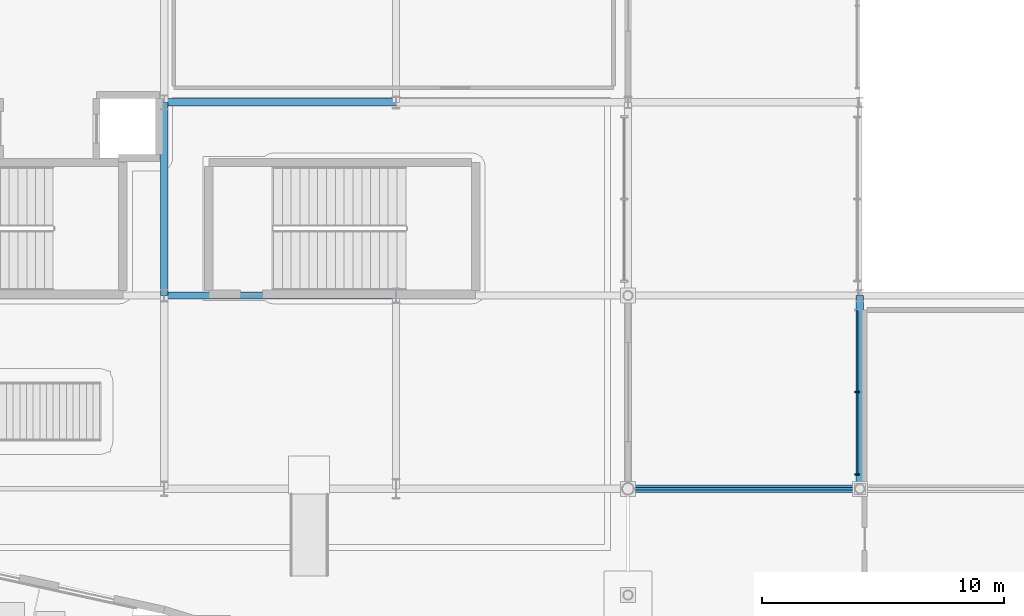
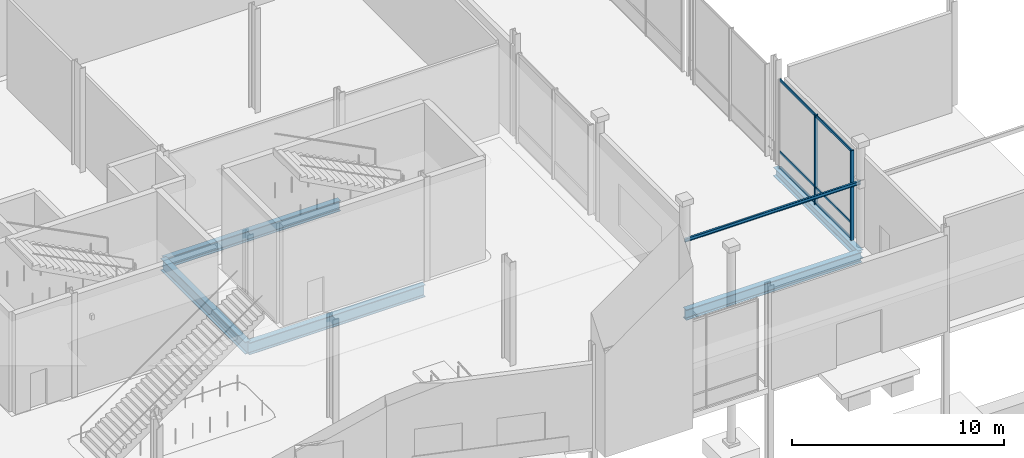
# One storey, part 41 of 124: 6 beams, 5 members, 1 element without a shape of its own.
"""IFC4 building model written with IfcOpenShell, lengths in metres."""

from ifc_helpers import new_model, si_unit, direction, frame, origin, origin_2d, place, context, subcontext, project, spatial, rectangle, i_section, extrude, material, material_profile, profile_set, type_object, element, aggregate, save


model = new_model("IFC4")

# Units and contexts
model_context = context("Model", 3, precision=1e-05, world=origin(), true_north=direction((0.0, 1.0)))
body_context = subcontext(model_context, "Body", "Model", "MODEL_VIEW")
ifc_project = project(units=[si_unit("LENGTHUNIT", "METRE"), si_unit("AREAUNIT", "SQUARE_METRE"), si_unit("VOLUMEUNIT", "CUBIC_METRE"), si_unit("PLANEANGLEUNIT", "RADIAN"), si_unit("MASSUNIT", "GRAM", prefix="KILO")], contexts=[model_context])

# Site, building, storey
site_placement = place(None, origin())
site = spatial("IfcSite", under=ifc_project, at=site_placement, CompositionType="ELEMENT")
building_placement = place(site_placement, origin())
building = spatial("IfcBuilding", under=site, at=building_placement, Name="Danafjord Basin Convention Centre", CompositionType="ELEMENT")
storey_placement = place(building_placement, origin())
storey = spatial("IfcBuildingStorey", under=building, at=storey_placement, Name="L00", CompositionType="ELEMENT", Elevation=0.0)

# Beams
ifc_material_1 = material(Name="Steel S355", Category="steel")
ifc_material_profile_1 = material_profile(ifc_material_1, i_section(OverallWidth=0.300048828125, OverallDepth=0.5, WebThickness=0.014404296875, FlangeThickness=0.028076171875, FilletRadius=0.027099609375, at=origin_2d()), Name="HEB 500")
ifc_profile_set_1 = profile_set([ifc_material_profile_1], Name="Steel S355")
beam_type_1 = type_object("IfcBeamType", Name="BEAM-BM-HEB500", PredefinedType="BEAM", material=ifc_profile_set_1)
beam_1_placement = place(storey_placement, frame((124.800048828125, 8.0, -0.5400390625), z_axis=(0.0, 1.0, 0.0), x_axis=(-1.0, 0.0, 0.0)))
element("IfcBeam", 1, at=beam_1_placement, inside=storey, type_object=beam_type_1, Name="L00 transverse girder BM-HEB500", PredefinedType="BEAM", context=body_context, shape_type="SweptSolid", body=[
    extrude(i_section(OverallWidth=0.300048828125, OverallDepth=0.5, WebThickness=0.014404296875, FlangeThickness=0.028076171875, FilletRadius=0.027099609375, at=origin_2d()), origin(), (0.0, 0.0, 1.0), 8.0),
])
ifc_material_profile_2 = material_profile(ifc_material_1, i_section(OverallWidth=0.300048828125, OverallDepth=0.60009765625, WebThickness=0.015380859375, FlangeThickness=0.030029296875, FilletRadius=0.027099609375, at=origin_2d()), Name="HEB 600")
ifc_profile_set_2 = profile_set([ifc_material_profile_2], Name="Steel S355")
beam_type_2 = type_object("IfcBeamType", Name="BEAM-BM-HEB600", PredefinedType="BEAM", material=ifc_profile_set_2)
for number, where, z_axis, x_axis, name in (
    (2, (96.0, 24.0, -0.610107421875), (1.0, 0.0, 0.0), (0.0, 1.0, 0.0), "L00 girder BM-HEB600"),
    (3, (115.199951171875, 8.0, -0.590087890625), (1.0, 0.0, 0.0), (0.0, 1.0, 0.0), "L00 girder BM-HEB600"),
):
    element("IfcBeam", number, at=place(storey_placement, frame(where, z_axis=z_axis, x_axis=x_axis)), inside=storey, type_object=beam_type_2, Name=name, PredefinedType="BEAM", context=body_context, shape_type="SweptSolid", body=[
        extrude(i_section(OverallWidth=0.300048828125, OverallDepth=0.60009765625, WebThickness=0.015380859375, FlangeThickness=0.030029296875, FilletRadius=0.027099609375, at=origin_2d()), origin(), (0.0, 0.0, 1.0), 9.60009765625),
    ])
ifc_material_profile_3 = material_profile(ifc_material_1, i_section(OverallWidth=0.300048828125, OverallDepth=0.699951171875, WebThickness=0.01708984375, FlangeThickness=0.031982421875, FilletRadius=0.027099609375, at=origin_2d()), Name="HEB 700")
ifc_profile_set_3 = profile_set([ifc_material_profile_3], Name="Steel S355")
beam_type_3 = type_object("IfcBeamType", Name="BEAM-BM-HEB700", PredefinedType="BEAM", material=ifc_profile_set_3)
beam_2_placement = place(storey_placement, frame((96.0, 16.0, -0.659912109375), z_axis=(1.0, 0.0, 0.0), x_axis=(0.0, 1.0, 0.0)))
element("IfcBeam", 4, at=beam_2_placement, inside=storey, type_object=beam_type_3, Name="L00 girder BM-HEB700", PredefinedType="BEAM", context=body_context, shape_type="SweptSolid", body=[
    extrude(i_section(OverallWidth=0.300048828125, OverallDepth=0.699951171875, WebThickness=0.01708984375, FlangeThickness=0.031982421875, FilletRadius=0.027099609375, at=origin_2d()), origin(), (0.0, 0.0, 1.0), 9.60009765625),
])
beam_3_placement = place(storey_placement, frame((96.0, 16.0, -0.659912109375), z_axis=(0.0, 1.0, 0.0), x_axis=(-1.0, 0.0, 0.0)))
element("IfcBeam", 5, at=beam_3_placement, inside=storey, type_object=beam_type_3, Name="L00 transverse girder BM-HEB700", PredefinedType="BEAM", context=body_context, shape_type="SweptSolid", body=[
    extrude(i_section(OverallWidth=0.300048828125, OverallDepth=0.699951171875, WebThickness=0.01708984375, FlangeThickness=0.031982421875, FilletRadius=0.027099609375, at=origin_2d()), origin(), (0.0, 0.0, 1.0), 8.0),
])
ifc_material_profile_4 = material_profile(ifc_material_1, i_section(OverallWidth=0.10009765625, OverallDepth=0.199951171875, WebThickness=0.005615234375, FlangeThickness=0.008544921875, FilletRadius=0.011962890625, at=origin_2d()), Name="IPE 200")
ifc_profile_set_4 = profile_set([ifc_material_profile_4], Name="Steel S355")
beam_type_4 = type_object("IfcBeamType", Name="BEAM-LN-IPE200", PredefinedType="LINTEL", material=ifc_profile_set_4)
beam_4_placement = place(storey_placement, frame((115.199951171875, 8.0, 3.64990234375), z_axis=(1.0, 0.0, 0.0), x_axis=(0.0, 1.0, 0.0)))
element("IfcBeam", 6, at=beam_4_placement, inside=storey, type_object=beam_type_4, Name="L00 structural portal lintel LN-IPE200", PredefinedType="LINTEL", context=body_context, shape_type="SweptSolid", body=[
    extrude(i_section(OverallWidth=0.10009765625, OverallDepth=0.199951171875, WebThickness=0.005615234375, FlangeThickness=0.008544921875, FilletRadius=0.011962890625, at=origin_2d()), origin(), (0.0, 0.0, 1.0), 9.60009765625),
])

# Curtain wall, members
ifc_material_2 = material(Name="Anodised aluminium and triple glazing", Category="aluminium")
curtain_wall_type = type_object("IfcCurtainWallType", Name="CW-CW-BRIDGE", PredefinedType="NOTDEFINED", material=ifc_material_2)
curtain_wall_placement = place(storey_placement, origin())
curtain_wall = element("IfcCurtainWall", 7, at=curtain_wall_placement, inside=storey, type_object=curtain_wall_type, Name="L00 CW-BRIDGE unitised curtain wall bay 151", PredefinedType="NOTDEFINED")
ifc_material_3 = material(Name="Anodised aluminium EN AW-6060", Category="aluminium")
ifc_material_profile_5 = material_profile(ifc_material_3, rectangle(XDim=0.06005859375, YDim=0.179931640625, at=origin_2d()), Name="MULL 60x180")
ifc_profile_set_5 = profile_set([ifc_material_profile_5], Name="Anodised aluminium EN AW-6060")
member_type_1 = type_object("IfcMemberType", Name="MEM-ML-180", PredefinedType="MULLION", material=ifc_profile_set_5)
member_1_placement = place(storey_placement, frame((124.679931640625, 8.60009765625, -0.02490234375), z_axis=(0.0, 0.0, 1.0), x_axis=(0.0, 1.0, 0.0)))
member_1 = element("IfcMember", 8, at=member_1_placement, type_object=member_type_1, Name="CW-L00-151 mullion 1", PredefinedType="MULLION", context=body_context, shape_type="SweptSolid", body=[
    extrude(rectangle(XDim=0.06005859375, YDim=0.179931640625, at=origin_2d()), origin(), (0.0, 0.0, 1.0), 5.184814453125),
])
member_2_placement = place(storey_placement, frame((124.679931640625, 12.0, -0.02490234375), z_axis=(0.0, 0.0, 1.0), x_axis=(0.0, 1.0, 0.0)))
member_2 = element("IfcMember", 9, at=member_2_placement, type_object=member_type_1, Name="CW-L00-151 mullion 2", PredefinedType="MULLION", context=body_context, shape_type="SweptSolid", body=[
    extrude(rectangle(XDim=0.06005859375, YDim=0.179931640625, at=origin_2d()), origin(), (0.0, 0.0, 1.0), 5.184814453125),
])
ifc_material_profile_6 = material_profile(ifc_material_3, rectangle(XDim=0.06005859375, YDim=0.14990234375, at=origin_2d()), Name="TRAN 60x150")
ifc_profile_set_6 = profile_set([ifc_material_profile_6], Name="Anodised aluminium EN AW-6060")
member_type_2 = type_object("IfcMemberType", Name="MEM-TR-150", PredefinedType="USERDEFINED", material=ifc_profile_set_6)
member_3_placement = place(storey_placement, frame((124.679931640625, 8.60009765625, 0.06005859375), z_axis=(0.0, 1.0, 0.0), x_axis=(-1.0, 0.0, 0.0)))
member_3 = element("IfcMember", 10, at=member_3_placement, type_object=member_type_2, Name="CW-L00-151 transom 1", ObjectType="TRANSOM", PredefinedType="USERDEFINED", context=body_context, shape_type="SweptSolid", body=[
    extrude(rectangle(XDim=0.06005859375, YDim=0.14990234375, at=origin_2d()), origin(), (0.0, 0.0, 1.0), 6.7998046875),
])
member_4_placement = place(storey_placement, frame((124.679931640625, 8.60009765625, 0.949951171875), z_axis=(0.0, 1.0, 0.0), x_axis=(-1.0, 0.0, 0.0)))
member_4 = element("IfcMember", 11, at=member_4_placement, type_object=member_type_2, Name="CW-L00-151 transom 2", ObjectType="TRANSOM", PredefinedType="USERDEFINED", context=body_context, shape_type="SweptSolid", body=[
    extrude(rectangle(XDim=0.06005859375, YDim=0.14990234375, at=origin_2d()), origin(), (0.0, 0.0, 1.0), 6.7998046875),
])
member_5_placement = place(storey_placement, frame((124.679931640625, 8.60009765625, 5.090087890625), z_axis=(0.0, 1.0, 0.0), x_axis=(-1.0, 0.0, 0.0)))
member_5 = element("IfcMember", 12, at=member_5_placement, type_object=member_type_2, Name="CW-L00-151 transom 3", ObjectType="TRANSOM", PredefinedType="USERDEFINED", context=body_context, shape_type="SweptSolid", body=[
    extrude(rectangle(XDim=0.06005859375, YDim=0.14990234375, at=origin_2d()), origin(), (0.0, 0.0, 1.0), 6.7998046875),
])
aggregate(curtain_wall, [member_1, member_2, member_3, member_4, member_5])

save(model, "model.ifc")
